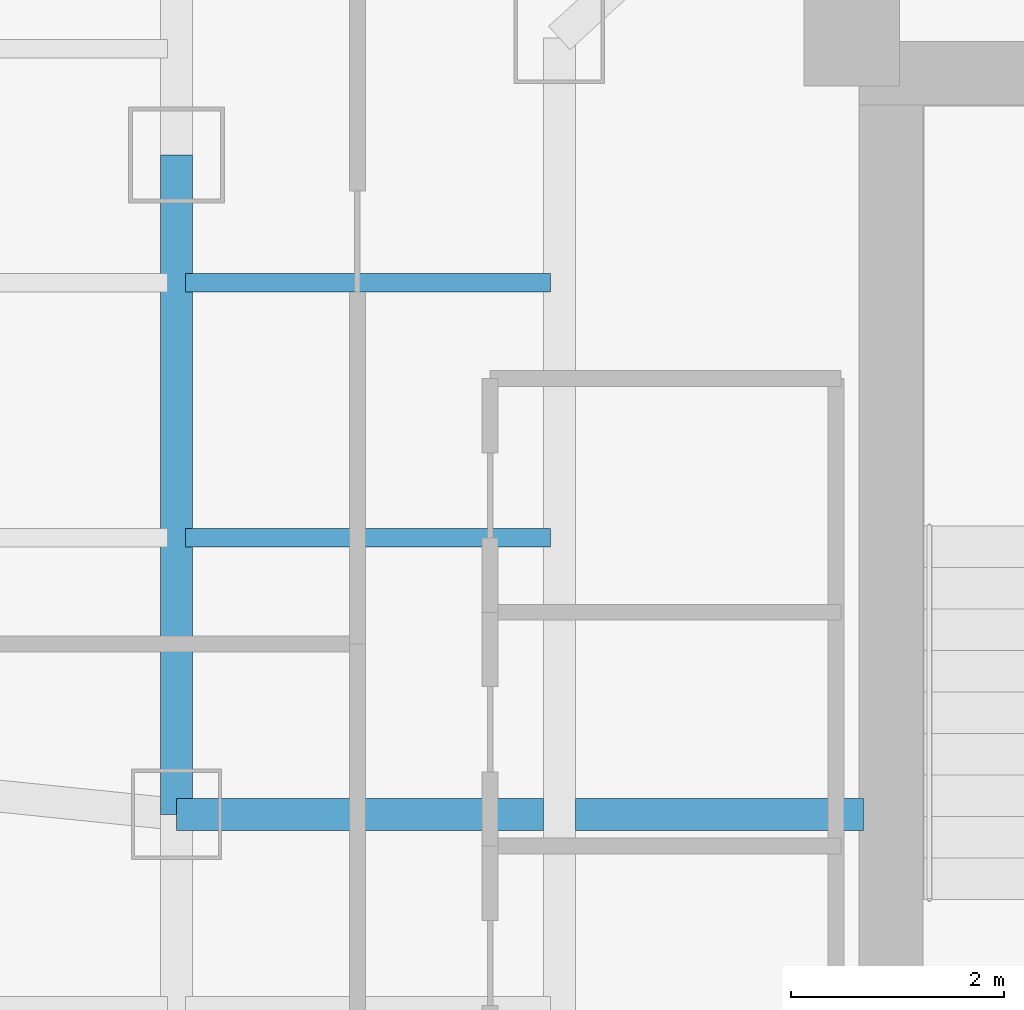
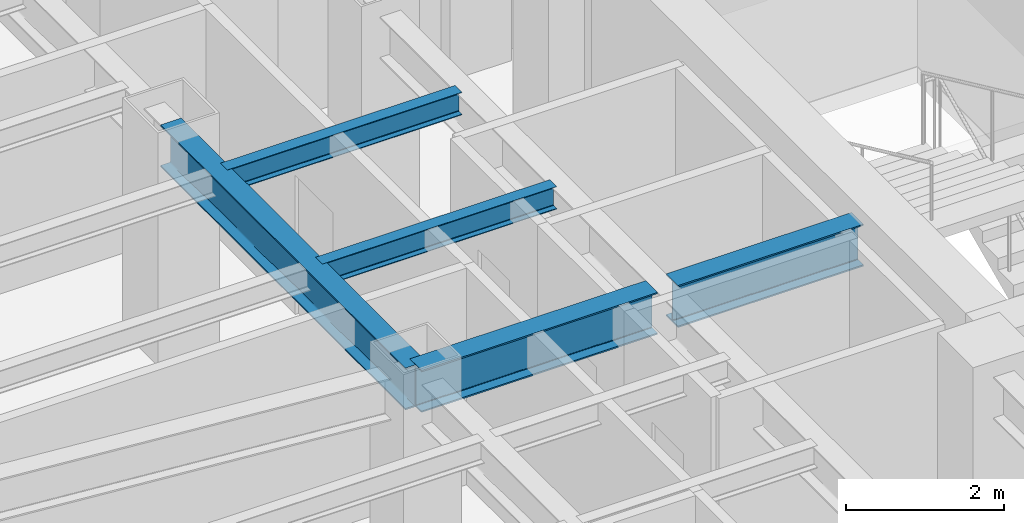
# One storey, part 16 of 31: 5 beams.
"""IFC4 building model written with IfcOpenShell, lengths in metres."""

from ifc_helpers import new_model, si_unit, direction, frame, origin, origin_2d, place, context, subcontext, project, spatial, i_section, extrude, material, material_profile, profile_set, type_object, element, save


model = new_model("IFC4")

# Units and contexts
model_context = context("Model", 3, precision=1e-05, world=origin(), true_north=direction((0.0, 1.0)))
body_context = subcontext(model_context, "Body", "Model", "MODEL_VIEW")
ifc_project = project(units=[si_unit("LENGTHUNIT", "METRE"), si_unit("AREAUNIT", "SQUARE_METRE"), si_unit("VOLUMEUNIT", "CUBIC_METRE"), si_unit("PLANEANGLEUNIT", "RADIAN"), si_unit("MASSUNIT", "GRAM", prefix="KILO")], contexts=[model_context])

# Site, building, storey
site_placement = place(None, origin())
site = spatial("IfcSite", under=ifc_project, at=site_placement, CompositionType="ELEMENT")
building_placement = place(site_placement, origin())
building = spatial("IfcBuilding", under=site, at=building_placement, Name="Hatsunagi Terrace Concourse", CompositionType="ELEMENT")
storey_placement = place(building_placement, frame((0.0, 0.0, 112.050048828125)))
storey = spatial("IfcBuildingStorey", under=building, at=storey_placement, Name="L29", CompositionType="ELEMENT", Elevation=112.050048828125)

# Beams
ifc_material_1 = material(Name="Steel SN490B", Category="steel")
ifc_material_profile_1 = material_profile(ifc_material_1, i_section(OverallWidth=0.175048828125, OverallDepth=0.35009765625, WebThickness=0.007080078125, FlangeThickness=0.010986328125, FilletRadius=0.012939453125, at=origin_2d()), Name="H-350x175x7x11")
ifc_profile_set_1 = profile_set([ifc_material_profile_1], Name="Steel SN490B")
beam_type_1 = type_object("IfcBeamType", Name="HotelJoist_H_350x175", PredefinedType="JOIST", material=ifc_profile_set_1)
for number, where, z_axis, x_axis, name in (
    (1, (19.284912109375, 38.60009765625, 3.175048828125), (1.0, 0.0, 0.0), (0.0, 1.0, 0.0), "Beam J-02 J-L29-W-19-386"),
    (2, (19.284912109375, 41.0, 3.175048828125), (1.0, 0.0, 0.0), (0.0, 1.0, 0.0), "Beam J-02 J-L29-W-19-410"),
):
    element("IfcBeam", number, at=place(storey_placement, frame(where, z_axis=z_axis, x_axis=x_axis)), inside=storey, type_object=beam_type_1, Name=name, PredefinedType="JOIST", context=body_context, shape_type="SweptSolid", body=[
        extrude(i_section(OverallWidth=0.175048828125, OverallDepth=0.35009765625, WebThickness=0.007080078125, FlangeThickness=0.010986328125, FilletRadius=0.012939453125, at=origin_2d()), origin(), (0.0, 0.0, 1.0), 3.43017578125),
    ])
ifc_material_2 = material(Name="Steel SN490B", Category="steel")
ifc_material_profile_2 = material_profile(ifc_material_2, i_section(OverallWidth=0.300048828125, OverallDepth=0.64990234375, WebThickness=0.012939453125, FlangeThickness=0.02197265625, FilletRadius=0.01806640625, at=origin_2d()), Name="H-650x300x13x22")
ifc_profile_set_2 = profile_set([ifc_material_profile_2], Name="Steel SN490B")
beam_type_2 = type_object("IfcBeamType", Name="OfficeLowGirder_H_650x300", PredefinedType="BEAM", material=ifc_profile_set_2)
beam_1_placement = place(storey_placement, frame((19.199951171875, 36.0, 3.02490234375), z_axis=(0.0, 1.0, 0.0), x_axis=(-1.0, 0.0, 0.0)))
element("IfcBeam", 3, at=beam_1_placement, inside=storey, type_object=beam_type_2, Name="Beam G-05 BM-L29-NS-19-36", PredefinedType="BEAM", context=body_context, shape_type="SweptSolid", body=[
    extrude(i_section(OverallWidth=0.300048828125, OverallDepth=0.64990234375, WebThickness=0.012939453125, FlangeThickness=0.02197265625, FilletRadius=0.01806640625, at=origin_2d()), origin(), (0.0, 0.0, 1.0), 6.199951171875),
])
beam_2_placement = place(storey_placement, frame((19.199951171875, 36.0, 3.02490234375), z_axis=(1.0, 0.0, 0.0), x_axis=(0.0, 1.0, 0.0)))
element("IfcBeam", 4, at=beam_2_placement, inside=storey, type_object=beam_type_2, Name="Beam G-05 BM-L29-EW-3", PredefinedType="BEAM", context=body_context, shape_type="SweptSolid", body=[
    extrude(i_section(OverallWidth=0.300048828125, OverallDepth=0.64990234375, WebThickness=0.012939453125, FlangeThickness=0.02197265625, FilletRadius=0.01806640625, at=origin_2d()), origin(), (0.0, 0.0, 1.0), 3.449951171875),
])
beam_3_placement = place(storey_placement, frame((22.949951171875, 36.0, 3.02490234375), z_axis=(1.0, 0.0, 0.0), x_axis=(0.0, 1.0, 0.0)))
element("IfcBeam", 5, at=beam_3_placement, inside=storey, type_object=beam_type_2, Name="Beam G-05 BM-L29-EW-4", PredefinedType="BEAM", context=body_context, shape_type="SweptSolid", body=[
    extrude(i_section(OverallWidth=0.300048828125, OverallDepth=0.64990234375, WebThickness=0.012939453125, FlangeThickness=0.02197265625, FilletRadius=0.01806640625, at=origin_2d()), origin(), (0.0, 0.0, 1.0), 2.7099609375),
])

save(model, "model.ifc")
